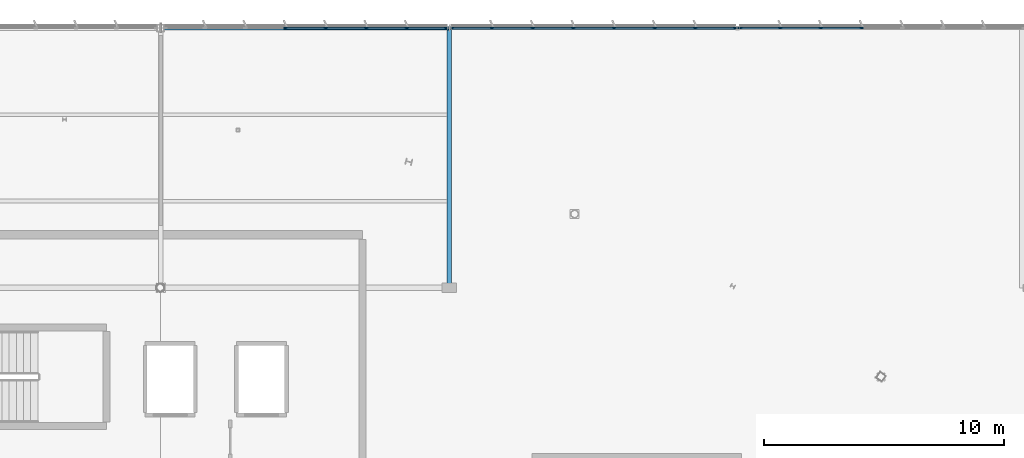
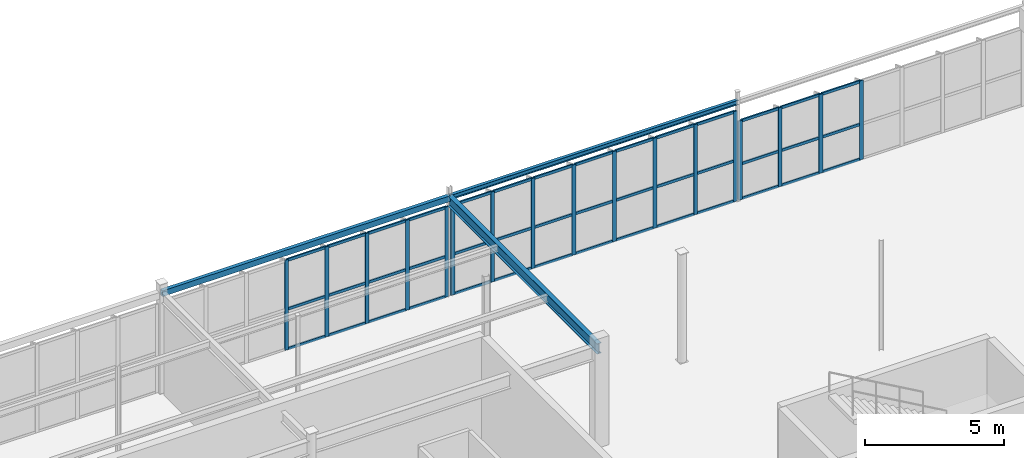
# One storey, part 103 of 226: 59 members, 3 beams, 3 elements without a shape of their own.
"""IFC4 building model written with IfcOpenShell, lengths in metres."""

from ifc_helpers import new_model, si_unit, direction, frame, origin, origin_2d, place, context, subcontext, project, spatial, rectangle, hollow_rectangle, i_section, extrude, material, layer, layer_set, material_profile, profile_set, type_object, element, aggregate, save


model = new_model("IFC4")

# Units and contexts
model_context = context("Model", 3, precision=1e-05, world=origin(), true_north=direction((0.0, 1.0)))
body_context = subcontext(model_context, "Body", "Model", "MODEL_VIEW")
ifc_project = project(units=[si_unit("LENGTHUNIT", "METRE"), si_unit("AREAUNIT", "SQUARE_METRE"), si_unit("VOLUMEUNIT", "CUBIC_METRE"), si_unit("PLANEANGLEUNIT", "RADIAN"), si_unit("MASSUNIT", "GRAM", prefix="KILO")], contexts=[model_context])

# Site, building, storey
site_placement = place(None, origin())
site = spatial("IfcSite", under=ifc_project, at=site_placement, CompositionType="ELEMENT")
building_placement = place(site_placement, origin())
building = spatial("IfcBuilding", under=site, at=building_placement, Name="Tarnwether General Hospital", CompositionType="ELEMENT")
storey_placement = place(building_placement, frame((0.0, 0.0, 4.800048828125)))
storey = spatial("IfcBuildingStorey", under=building, at=storey_placement, Name="L01", CompositionType="ELEMENT", Elevation=4.800048828125)

# Beams
ifc_material_1 = material(Name="Steel Grade 350 (350 MPa)", Category="steel")
ifc_material_profile_1 = material_profile(ifc_material_1, i_section(OverallWidth=0.18994140625, OverallDepth=0.45703125, WebThickness=0.009033203125, FlangeThickness=0.014404296875, at=origin_2d()), Name="460UB74.6")
ifc_profile_set_1 = profile_set([ifc_material_profile_1], Name="Steel Grade 350 (350 MPa)")
beam_type_1 = type_object("IfcBeamType", Name="BM-G09", PredefinedType="BEAM", material=ifc_profile_set_1)
beam_1_placement = place(storey_placement, frame((108.0, 115.199951171875, 4.216552734375), z_axis=(0.0, 1.0, 0.0), x_axis=(-1.0, 0.0, 0.0)))
element("IfcBeam", 1, at=beam_1_placement, inside=storey, type_object=beam_type_1, Name="Primary Girder BMG-L01-10800_11520-10800_12600-1182", PredefinedType="BEAM", context=body_context, shape_type="SweptSolid", body=[
    extrude(i_section(OverallWidth=0.18994140625, OverallDepth=0.45703125, WebThickness=0.009033203125, FlangeThickness=0.014404296875, at=origin_2d()), origin(), (0.0, 0.0, 1.0), 10.800048828125),
])
ifc_material_2 = material(Name="Steel Grade C350L0 (350 MPa)", Category="steel")
ifc_material_profile_2 = material_profile(ifc_material_2, hollow_rectangle(XDim=0.14990234375, YDim=0.25, WallThickness=0.010009765625, at=origin_2d()), Name="RHS250x150x10")
ifc_profile_set_2 = profile_set([ifc_material_profile_2], Name="Steel Grade C350L0 (350 MPa)")
beam_type_2 = type_object("IfcBeamType", Name="BM-SP4", PredefinedType="SPANDREL", material=ifc_profile_set_2)
beam_2_placement = place(storey_placement, frame((96.0, 126.0, 4.320068359375), z_axis=(1.0, 0.0, 0.0), x_axis=(0.0, 1.0, 0.0)))
element("IfcBeam", 2, at=beam_2_placement, inside=storey, type_object=beam_type_2, Name="Primary Girder BMG-L01-9600_12600-10800_12600-1170", PredefinedType="SPANDREL", context=body_context, shape_type="SweptSolid", body=[
    extrude(hollow_rectangle(XDim=0.14990234375, YDim=0.25, WallThickness=0.010009765625, at=origin_2d()), origin(), (0.0, 0.0, 1.0), 12.0),
])
ifc_material_3 = material(Name="Steel Grade 350 (350 MPa)", Category="steel")
ifc_material_profile_3 = material_profile(ifc_material_3, i_section(OverallWidth=0.133056640625, OverallDepth=0.202880859375, WebThickness=0.005859375, FlangeThickness=0.0078125, at=origin_2d()), Name="200UB25.4")
ifc_profile_set_3 = profile_set([ifc_material_profile_3], Name="Steel Grade 350 (350 MPa)")
beam_type_3 = type_object("IfcBeamType", Name="BM-SP5", PredefinedType="SPANDREL", material=ifc_profile_set_3)
beam_3_placement = place(storey_placement, frame((108.0, 126.0, 4.343505859375), z_axis=(1.0, 0.0, 0.0), x_axis=(0.0, 1.0, 0.0)))
element("IfcBeam", 3, at=beam_3_placement, inside=storey, type_object=beam_type_3, Name="Primary Girder BMG-L01-10800_12600-12000_12600-1183", PredefinedType="SPANDREL", context=body_context, shape_type="SweptSolid", body=[
    extrude(i_section(OverallWidth=0.133056640625, OverallDepth=0.202880859375, WebThickness=0.005859375, FlangeThickness=0.0078125, at=origin_2d()), origin(), (0.0, 0.0, 1.0), 12.0),
])

# Curtain wall, members
ifc_material_4 = material(Name="Anodised aluminium", Category="aluminium")
ifc_layer = layer(ifc_material_4, 0.159912109375)
ifc_layer_set = layer_set([ifc_layer], Name="Anodised aluminium")
curtain_wall_type = type_object("IfcCurtainWallType", Name="CW-14", PredefinedType="NOTDEFINED", material=ifc_layer_set)
curtain_wall_1_placement = place(storey_placement, origin())
curtain_wall_1 = element("IfcCurtainWall", 4, at=curtain_wall_1_placement, inside=storey, type_object=curtain_wall_type, Name="Curtain Wall CWG-L01-962_1260-0326", PredefinedType="NOTDEFINED")
ifc_material_5 = material(Name="Anodised aluminium", Category="aluminium")
ifc_material_profile_4 = material_profile(ifc_material_5, rectangle(XDim=0.06005859375, YDim=0.159912109375, at=origin_2d()), Name="ALU-MUL-60x160")
ifc_profile_set_4 = profile_set([ifc_material_profile_4], Name="Anodised aluminium")
member_type_1 = type_object("IfcMemberType", Name="CW-ML1", PredefinedType="MULLION", material=ifc_profile_set_4)
member_1_placement = place(storey_placement, frame((101.195068359375, 126.0, 0.0), z_axis=(0.0, 0.0, 1.0), x_axis=(0.0, 1.0, 0.0)))
member_1 = element("IfcMember", 5, at=member_1_placement, type_object=member_type_1, Name="CW-14 mullion 4", PredefinedType="MULLION", context=body_context, shape_type="SweptSolid", body=[
    extrude(rectangle(XDim=0.06005859375, YDim=0.159912109375, at=origin_2d()), origin(), (0.0, 0.0, 1.0), 3.969970703125),
])
member_2_placement = place(storey_placement, frame((102.8740234375, 126.0, 0.0), z_axis=(0.0, 0.0, 1.0), x_axis=(0.0, 1.0, 0.0)))
member_2 = element("IfcMember", 6, at=member_2_placement, type_object=member_type_1, Name="CW-14 mullion 5", PredefinedType="MULLION", context=body_context, shape_type="SweptSolid", body=[
    extrude(rectangle(XDim=0.06005859375, YDim=0.159912109375, at=origin_2d()), origin(), (0.0, 0.0, 1.0), 3.969970703125),
])
member_3_placement = place(storey_placement, frame((104.552978515625, 126.0, 0.0), z_axis=(0.0, 0.0, 1.0), x_axis=(0.0, 1.0, 0.0)))
member_3 = element("IfcMember", 7, at=member_3_placement, type_object=member_type_1, Name="CW-14 mullion 6", PredefinedType="MULLION", context=body_context, shape_type="SweptSolid", body=[
    extrude(rectangle(XDim=0.06005859375, YDim=0.159912109375, at=origin_2d()), origin(), (0.0, 0.0, 1.0), 3.969970703125),
])
member_4_placement = place(storey_placement, frame((106.23193359375, 126.0, 0.0), z_axis=(0.0, 0.0, 1.0), x_axis=(0.0, 1.0, 0.0)))
member_4 = element("IfcMember", 8, at=member_4_placement, type_object=member_type_1, Name="CW-14 mullion 7", PredefinedType="MULLION", context=body_context, shape_type="SweptSolid", body=[
    extrude(rectangle(XDim=0.06005859375, YDim=0.159912109375, at=origin_2d()), origin(), (0.0, 0.0, 1.0), 3.969970703125),
])
member_5_placement = place(storey_placement, frame((107.881103515625, 126.0, 0.0), z_axis=(0.0, 0.0, 1.0), x_axis=(0.0, 1.0, 0.0)))
member_5 = element("IfcMember", 9, at=member_5_placement, type_object=member_type_1, Name="CW-14 mullion 8", PredefinedType="MULLION", context=body_context, shape_type="SweptSolid", body=[
    extrude(rectangle(XDim=0.06005859375, YDim=0.159912109375, at=origin_2d()), origin(), (0.0, 0.0, 1.0), 3.969970703125),
])

curtain_wall_2_placement = place(storey_placement, origin())
curtain_wall_2 = element("IfcCurtainWall", 10, at=curtain_wall_2_placement, inside=storey, type_object=curtain_wall_type, Name="Curtain Wall CWG-L01-1081_1260-0327", PredefinedType="NOTDEFINED")
member_6_placement = place(storey_placement, frame((108.118896484375, 126.0, 0.0), z_axis=(0.0, 0.0, 1.0), x_axis=(0.0, 1.0, 0.0)))
member_6 = element("IfcMember", 11, at=member_6_placement, type_object=member_type_1, Name="CW-14 mullion 1", PredefinedType="MULLION", context=body_context, shape_type="SweptSolid", body=[
    extrude(rectangle(XDim=0.06005859375, YDim=0.159912109375, at=origin_2d()), origin(), (0.0, 0.0, 1.0), 3.972900390625),
])
member_7_placement = place(storey_placement, frame((109.780517578125, 126.0, 0.0), z_axis=(0.0, 0.0, 1.0), x_axis=(0.0, 1.0, 0.0)))
member_7 = element("IfcMember", 12, at=member_7_placement, type_object=member_type_1, Name="CW-14 mullion 2", PredefinedType="MULLION", context=body_context, shape_type="SweptSolid", body=[
    extrude(rectangle(XDim=0.06005859375, YDim=0.159912109375, at=origin_2d()), origin(), (0.0, 0.0, 1.0), 3.972900390625),
])
member_8_placement = place(storey_placement, frame((111.471923828125, 126.0, 0.0), z_axis=(0.0, 0.0, 1.0), x_axis=(0.0, 1.0, 0.0)))
member_8 = element("IfcMember", 13, at=member_8_placement, type_object=member_type_1, Name="CW-14 mullion 3", PredefinedType="MULLION", context=body_context, shape_type="SweptSolid", body=[
    extrude(rectangle(XDim=0.06005859375, YDim=0.159912109375, at=origin_2d()), origin(), (0.0, 0.0, 1.0), 3.972900390625),
])
member_9_placement = place(storey_placement, frame((113.163330078125, 126.0, 0.0), z_axis=(0.0, 0.0, 1.0), x_axis=(0.0, 1.0, 0.0)))
member_9 = element("IfcMember", 14, at=member_9_placement, type_object=member_type_1, Name="CW-14 mullion 4", PredefinedType="MULLION", context=body_context, shape_type="SweptSolid", body=[
    extrude(rectangle(XDim=0.06005859375, YDim=0.159912109375, at=origin_2d()), origin(), (0.0, 0.0, 1.0), 3.972900390625),
])
member_10_placement = place(storey_placement, frame((114.854736328125, 126.0, 0.0), z_axis=(0.0, 0.0, 1.0), x_axis=(0.0, 1.0, 0.0)))
member_10 = element("IfcMember", 15, at=member_10_placement, type_object=member_type_1, Name="CW-14 mullion 5", PredefinedType="MULLION", context=body_context, shape_type="SweptSolid", body=[
    extrude(rectangle(XDim=0.06005859375, YDim=0.159912109375, at=origin_2d()), origin(), (0.0, 0.0, 1.0), 3.972900390625),
])
member_11_placement = place(storey_placement, frame((116.546142578125, 126.0, 0.0), z_axis=(0.0, 0.0, 1.0), x_axis=(0.0, 1.0, 0.0)))
member_11 = element("IfcMember", 16, at=member_11_placement, type_object=member_type_1, Name="CW-14 mullion 6", PredefinedType="MULLION", context=body_context, shape_type="SweptSolid", body=[
    extrude(rectangle(XDim=0.06005859375, YDim=0.159912109375, at=origin_2d()), origin(), (0.0, 0.0, 1.0), 3.972900390625),
])
member_12_placement = place(storey_placement, frame((118.237548828125, 126.0, 0.0), z_axis=(0.0, 0.0, 1.0), x_axis=(0.0, 1.0, 0.0)))
member_12 = element("IfcMember", 17, at=member_12_placement, type_object=member_type_1, Name="CW-14 mullion 7", PredefinedType="MULLION", context=body_context, shape_type="SweptSolid", body=[
    extrude(rectangle(XDim=0.06005859375, YDim=0.159912109375, at=origin_2d()), origin(), (0.0, 0.0, 1.0), 3.972900390625),
])
member_13_placement = place(storey_placement, frame((119.89892578125, 126.0, 0.0), z_axis=(0.0, 0.0, 1.0), x_axis=(0.0, 1.0, 0.0)))
member_13 = element("IfcMember", 18, at=member_13_placement, type_object=member_type_1, Name="CW-14 mullion 8", PredefinedType="MULLION", context=body_context, shape_type="SweptSolid", body=[
    extrude(rectangle(XDim=0.06005859375, YDim=0.159912109375, at=origin_2d()), origin(), (0.0, 0.0, 1.0), 3.972900390625),
])

curtain_wall_3_placement = place(storey_placement, origin())
curtain_wall_3 = element("IfcCurtainWall", 19, at=curtain_wall_3_placement, inside=storey, type_object=curtain_wall_type, Name="Curtain Wall CWG-L01-1201_1260-0328", PredefinedType="NOTDEFINED")
member_14_placement = place(storey_placement, frame((120.10107421875, 126.0, 0.0), z_axis=(0.0, 0.0, 1.0), x_axis=(0.0, 1.0, 0.0)))
member_14 = element("IfcMember", 20, at=member_14_placement, type_object=member_type_1, Name="CW-14 mullion 1", PredefinedType="MULLION", context=body_context, shape_type="SweptSolid", body=[
    extrude(rectangle(XDim=0.06005859375, YDim=0.159912109375, at=origin_2d()), origin(), (0.0, 0.0, 1.0), 3.47998046875),
])
member_15_placement = place(storey_placement, frame((121.76318359375, 126.0, 0.0), z_axis=(0.0, 0.0, 1.0), x_axis=(0.0, 1.0, 0.0)))
member_15 = element("IfcMember", 21, at=member_15_placement, type_object=member_type_1, Name="CW-14 mullion 2", PredefinedType="MULLION", context=body_context, shape_type="SweptSolid", body=[
    extrude(rectangle(XDim=0.06005859375, YDim=0.159912109375, at=origin_2d()), origin(), (0.0, 0.0, 1.0), 3.47998046875),
])
member_16_placement = place(storey_placement, frame((123.455322265625, 126.0, 0.0), z_axis=(0.0, 0.0, 1.0), x_axis=(0.0, 1.0, 0.0)))
member_16 = element("IfcMember", 22, at=member_16_placement, type_object=member_type_1, Name="CW-14 mullion 3", PredefinedType="MULLION", context=body_context, shape_type="SweptSolid", body=[
    extrude(rectangle(XDim=0.06005859375, YDim=0.159912109375, at=origin_2d()), origin(), (0.0, 0.0, 1.0), 3.47998046875),
])
member_17_placement = place(storey_placement, frame((125.1474609375, 126.0, 0.0), z_axis=(0.0, 0.0, 1.0), x_axis=(0.0, 1.0, 0.0)))
member_17 = element("IfcMember", 23, at=member_17_placement, type_object=member_type_1, Name="CW-14 mullion 4", PredefinedType="MULLION", context=body_context, shape_type="SweptSolid", body=[
    extrude(rectangle(XDim=0.06005859375, YDim=0.159912109375, at=origin_2d()), origin(), (0.0, 0.0, 1.0), 3.47998046875),
])

# Member
ifc_material_6 = material(Name="Anodised aluminium", Category="aluminium")
ifc_material_profile_5 = material_profile(ifc_material_6, rectangle(XDim=0.06005859375, YDim=0.1201171875, at=origin_2d()), Name="ALU-TRN-60x120")
ifc_profile_set_5 = profile_set([ifc_material_profile_5], Name="Anodised aluminium")
member_type_2 = type_object("IfcMemberType", Name="CW-TR1", PredefinedType="USERDEFINED", material=ifc_profile_set_5)
member_18_placement = place(storey_placement, frame((101.22509765625, 126.0, 0.030029296875), z_axis=(1.0, 0.0, 0.0), x_axis=(0.0, 1.0, 0.0)))
member_18 = element("IfcMember", 24, at=member_18_placement, type_object=member_type_2, Name="CW-14 transom 4.1", ObjectType="TRANSOM", PredefinedType="USERDEFINED", context=body_context, shape_type="SweptSolid", body=[
    extrude(rectangle(XDim=0.06005859375, YDim=0.1201171875, at=origin_2d()), origin(), (0.0, 0.0, 1.0), 1.618896484375),
])

member_19_placement = place(storey_placement, frame((101.22509765625, 126.0, 1.786376953125), z_axis=(1.0, 0.0, 0.0), x_axis=(0.0, 1.0, 0.0)))
member_19 = element("IfcMember", 25, at=member_19_placement, type_object=member_type_2, Name="CW-14 transom 4.2", ObjectType="TRANSOM", PredefinedType="USERDEFINED", context=body_context, shape_type="SweptSolid", body=[
    extrude(rectangle(XDim=0.06005859375, YDim=0.1201171875, at=origin_2d()), origin(), (0.0, 0.0, 1.0), 1.618896484375),
])

member_20_placement = place(storey_placement, frame((101.22509765625, 126.0, 3.93994140625), z_axis=(1.0, 0.0, 0.0), x_axis=(0.0, 1.0, 0.0)))
member_20 = element("IfcMember", 26, at=member_20_placement, type_object=member_type_2, Name="CW-14 transom 4.3", ObjectType="TRANSOM", PredefinedType="USERDEFINED", context=body_context, shape_type="SweptSolid", body=[
    extrude(rectangle(XDim=0.06005859375, YDim=0.1201171875, at=origin_2d()), origin(), (0.0, 0.0, 1.0), 1.618896484375),
])

member_21_placement = place(storey_placement, frame((102.904052734375, 126.0, 0.030029296875), z_axis=(1.0, 0.0, 0.0), x_axis=(0.0, 1.0, 0.0)))
member_21 = element("IfcMember", 27, at=member_21_placement, type_object=member_type_2, Name="CW-14 transom 5.1", ObjectType="TRANSOM", PredefinedType="USERDEFINED", context=body_context, shape_type="SweptSolid", body=[
    extrude(rectangle(XDim=0.06005859375, YDim=0.1201171875, at=origin_2d()), origin(), (0.0, 0.0, 1.0), 1.618896484375),
])

member_22_placement = place(storey_placement, frame((102.904052734375, 126.0, 1.786376953125), z_axis=(1.0, 0.0, 0.0), x_axis=(0.0, 1.0, 0.0)))
member_22 = element("IfcMember", 28, at=member_22_placement, type_object=member_type_2, Name="CW-14 transom 5.2", ObjectType="TRANSOM", PredefinedType="USERDEFINED", context=body_context, shape_type="SweptSolid", body=[
    extrude(rectangle(XDim=0.06005859375, YDim=0.1201171875, at=origin_2d()), origin(), (0.0, 0.0, 1.0), 1.618896484375),
])

member_23_placement = place(storey_placement, frame((102.904052734375, 126.0, 3.93994140625), z_axis=(1.0, 0.0, 0.0), x_axis=(0.0, 1.0, 0.0)))
member_23 = element("IfcMember", 29, at=member_23_placement, type_object=member_type_2, Name="CW-14 transom 5.3", ObjectType="TRANSOM", PredefinedType="USERDEFINED", context=body_context, shape_type="SweptSolid", body=[
    extrude(rectangle(XDim=0.06005859375, YDim=0.1201171875, at=origin_2d()), origin(), (0.0, 0.0, 1.0), 1.618896484375),
])

member_24_placement = place(storey_placement, frame((104.5830078125, 126.0, 0.030029296875), z_axis=(1.0, 0.0, 0.0), x_axis=(0.0, 1.0, 0.0)))
member_24 = element("IfcMember", 30, at=member_24_placement, type_object=member_type_2, Name="CW-14 transom 6.1", ObjectType="TRANSOM", PredefinedType="USERDEFINED", context=body_context, shape_type="SweptSolid", body=[
    extrude(rectangle(XDim=0.06005859375, YDim=0.1201171875, at=origin_2d()), origin(), (0.0, 0.0, 1.0), 1.618896484375),
])

member_25_placement = place(storey_placement, frame((104.5830078125, 126.0, 1.786376953125), z_axis=(1.0, 0.0, 0.0), x_axis=(0.0, 1.0, 0.0)))
member_25 = element("IfcMember", 31, at=member_25_placement, type_object=member_type_2, Name="CW-14 transom 6.2", ObjectType="TRANSOM", PredefinedType="USERDEFINED", context=body_context, shape_type="SweptSolid", body=[
    extrude(rectangle(XDim=0.06005859375, YDim=0.1201171875, at=origin_2d()), origin(), (0.0, 0.0, 1.0), 1.618896484375),
])

member_26_placement = place(storey_placement, frame((104.5830078125, 126.0, 3.93994140625), z_axis=(1.0, 0.0, 0.0), x_axis=(0.0, 1.0, 0.0)))
member_26 = element("IfcMember", 32, at=member_26_placement, type_object=member_type_2, Name="CW-14 transom 6.3", ObjectType="TRANSOM", PredefinedType="USERDEFINED", context=body_context, shape_type="SweptSolid", body=[
    extrude(rectangle(XDim=0.06005859375, YDim=0.1201171875, at=origin_2d()), origin(), (0.0, 0.0, 1.0), 1.618896484375),
])

member_27_placement = place(storey_placement, frame((106.261962890625, 126.0, 0.030029296875), z_axis=(1.0, 0.0, 0.0), x_axis=(0.0, 1.0, 0.0)))
member_27 = element("IfcMember", 33, at=member_27_placement, type_object=member_type_2, Name="CW-14 transom 7.1", ObjectType="TRANSOM", PredefinedType="USERDEFINED", context=body_context, shape_type="SweptSolid", body=[
    extrude(rectangle(XDim=0.06005859375, YDim=0.1201171875, at=origin_2d()), origin(), (0.0, 0.0, 1.0), 1.589111328125),
])

member_28_placement = place(storey_placement, frame((106.261962890625, 126.0, 1.786376953125), z_axis=(1.0, 0.0, 0.0), x_axis=(0.0, 1.0, 0.0)))
member_28 = element("IfcMember", 34, at=member_28_placement, type_object=member_type_2, Name="CW-14 transom 7.2", ObjectType="TRANSOM", PredefinedType="USERDEFINED", context=body_context, shape_type="SweptSolid", body=[
    extrude(rectangle(XDim=0.06005859375, YDim=0.1201171875, at=origin_2d()), origin(), (0.0, 0.0, 1.0), 1.589111328125),
])

member_29_placement = place(storey_placement, frame((106.261962890625, 126.0, 3.93994140625), z_axis=(1.0, 0.0, 0.0), x_axis=(0.0, 1.0, 0.0)))
member_29 = element("IfcMember", 35, at=member_29_placement, type_object=member_type_2, Name="CW-14 transom 7.3", ObjectType="TRANSOM", PredefinedType="USERDEFINED", context=body_context, shape_type="SweptSolid", body=[
    extrude(rectangle(XDim=0.06005859375, YDim=0.1201171875, at=origin_2d()), origin(), (0.0, 0.0, 1.0), 1.589111328125),
])

aggregate(curtain_wall_1, [member_1, member_2, member_3, member_4, member_5, member_18, member_19, member_20, member_21, member_22, member_23, member_24, member_25, member_26, member_27, member_28, member_29])

member_30_placement = place(storey_placement, frame((108.14892578125, 126.0, 0.030029296875), z_axis=(1.0, 0.0, 0.0), x_axis=(0.0, 1.0, 0.0)))
member_30 = element("IfcMember", 36, at=member_30_placement, type_object=member_type_2, Name="CW-14 transom 1.1", ObjectType="TRANSOM", PredefinedType="USERDEFINED", context=body_context, shape_type="SweptSolid", body=[
    extrude(rectangle(XDim=0.06005859375, YDim=0.1201171875, at=origin_2d()), origin(), (0.0, 0.0, 1.0), 1.6015625),
])

member_31_placement = place(storey_placement, frame((108.14892578125, 126.0, 1.787841796875), z_axis=(1.0, 0.0, 0.0), x_axis=(0.0, 1.0, 0.0)))
member_31 = element("IfcMember", 37, at=member_31_placement, type_object=member_type_2, Name="CW-14 transom 1.2", ObjectType="TRANSOM", PredefinedType="USERDEFINED", context=body_context, shape_type="SweptSolid", body=[
    extrude(rectangle(XDim=0.06005859375, YDim=0.1201171875, at=origin_2d()), origin(), (0.0, 0.0, 1.0), 1.6015625),
])

member_32_placement = place(storey_placement, frame((108.14892578125, 126.0, 3.94287109375), z_axis=(1.0, 0.0, 0.0), x_axis=(0.0, 1.0, 0.0)))
member_32 = element("IfcMember", 38, at=member_32_placement, type_object=member_type_2, Name="CW-14 transom 1.3", ObjectType="TRANSOM", PredefinedType="USERDEFINED", context=body_context, shape_type="SweptSolid", body=[
    extrude(rectangle(XDim=0.06005859375, YDim=0.1201171875, at=origin_2d()), origin(), (0.0, 0.0, 1.0), 1.6015625),
])

member_33_placement = place(storey_placement, frame((109.810546875, 126.0, 0.030029296875), z_axis=(1.0, 0.0, 0.0), x_axis=(0.0, 1.0, 0.0)))
member_33 = element("IfcMember", 39, at=member_33_placement, type_object=member_type_2, Name="CW-14 transom 2.1", ObjectType="TRANSOM", PredefinedType="USERDEFINED", context=body_context, shape_type="SweptSolid", body=[
    extrude(rectangle(XDim=0.06005859375, YDim=0.1201171875, at=origin_2d()), origin(), (0.0, 0.0, 1.0), 1.63134765625),
])

member_34_placement = place(storey_placement, frame((109.810546875, 126.0, 1.787841796875), z_axis=(1.0, 0.0, 0.0), x_axis=(0.0, 1.0, 0.0)))
member_34 = element("IfcMember", 40, at=member_34_placement, type_object=member_type_2, Name="CW-14 transom 2.2", ObjectType="TRANSOM", PredefinedType="USERDEFINED", context=body_context, shape_type="SweptSolid", body=[
    extrude(rectangle(XDim=0.06005859375, YDim=0.1201171875, at=origin_2d()), origin(), (0.0, 0.0, 1.0), 1.63134765625),
])

member_35_placement = place(storey_placement, frame((109.810546875, 126.0, 3.94287109375), z_axis=(1.0, 0.0, 0.0), x_axis=(0.0, 1.0, 0.0)))
member_35 = element("IfcMember", 41, at=member_35_placement, type_object=member_type_2, Name="CW-14 transom 2.3", ObjectType="TRANSOM", PredefinedType="USERDEFINED", context=body_context, shape_type="SweptSolid", body=[
    extrude(rectangle(XDim=0.06005859375, YDim=0.1201171875, at=origin_2d()), origin(), (0.0, 0.0, 1.0), 1.63134765625),
])

member_36_placement = place(storey_placement, frame((111.501953125, 126.0, 0.030029296875), z_axis=(1.0, 0.0, 0.0), x_axis=(0.0, 1.0, 0.0)))
member_36 = element("IfcMember", 42, at=member_36_placement, type_object=member_type_2, Name="CW-14 transom 3.1", ObjectType="TRANSOM", PredefinedType="USERDEFINED", context=body_context, shape_type="SweptSolid", body=[
    extrude(rectangle(XDim=0.06005859375, YDim=0.1201171875, at=origin_2d()), origin(), (0.0, 0.0, 1.0), 1.63134765625),
])

member_37_placement = place(storey_placement, frame((111.501953125, 126.0, 1.787841796875), z_axis=(1.0, 0.0, 0.0), x_axis=(0.0, 1.0, 0.0)))
member_37 = element("IfcMember", 43, at=member_37_placement, type_object=member_type_2, Name="CW-14 transom 3.2", ObjectType="TRANSOM", PredefinedType="USERDEFINED", context=body_context, shape_type="SweptSolid", body=[
    extrude(rectangle(XDim=0.06005859375, YDim=0.1201171875, at=origin_2d()), origin(), (0.0, 0.0, 1.0), 1.63134765625),
])

member_38_placement = place(storey_placement, frame((111.501953125, 126.0, 3.94287109375), z_axis=(1.0, 0.0, 0.0), x_axis=(0.0, 1.0, 0.0)))
member_38 = element("IfcMember", 44, at=member_38_placement, type_object=member_type_2, Name="CW-14 transom 3.3", ObjectType="TRANSOM", PredefinedType="USERDEFINED", context=body_context, shape_type="SweptSolid", body=[
    extrude(rectangle(XDim=0.06005859375, YDim=0.1201171875, at=origin_2d()), origin(), (0.0, 0.0, 1.0), 1.63134765625),
])

member_39_placement = place(storey_placement, frame((113.193359375, 126.0, 0.030029296875), z_axis=(1.0, 0.0, 0.0), x_axis=(0.0, 1.0, 0.0)))
member_39 = element("IfcMember", 45, at=member_39_placement, type_object=member_type_2, Name="CW-14 transom 4.1", ObjectType="TRANSOM", PredefinedType="USERDEFINED", context=body_context, shape_type="SweptSolid", body=[
    extrude(rectangle(XDim=0.06005859375, YDim=0.1201171875, at=origin_2d()), origin(), (0.0, 0.0, 1.0), 1.63134765625),
])

member_40_placement = place(storey_placement, frame((113.193359375, 126.0, 1.787841796875), z_axis=(1.0, 0.0, 0.0), x_axis=(0.0, 1.0, 0.0)))
member_40 = element("IfcMember", 46, at=member_40_placement, type_object=member_type_2, Name="CW-14 transom 4.2", ObjectType="TRANSOM", PredefinedType="USERDEFINED", context=body_context, shape_type="SweptSolid", body=[
    extrude(rectangle(XDim=0.06005859375, YDim=0.1201171875, at=origin_2d()), origin(), (0.0, 0.0, 1.0), 1.63134765625),
])

member_41_placement = place(storey_placement, frame((113.193359375, 126.0, 3.94287109375), z_axis=(1.0, 0.0, 0.0), x_axis=(0.0, 1.0, 0.0)))
member_41 = element("IfcMember", 47, at=member_41_placement, type_object=member_type_2, Name="CW-14 transom 4.3", ObjectType="TRANSOM", PredefinedType="USERDEFINED", context=body_context, shape_type="SweptSolid", body=[
    extrude(rectangle(XDim=0.06005859375, YDim=0.1201171875, at=origin_2d()), origin(), (0.0, 0.0, 1.0), 1.63134765625),
])

member_42_placement = place(storey_placement, frame((114.884765625, 126.0, 0.030029296875), z_axis=(1.0, 0.0, 0.0), x_axis=(0.0, 1.0, 0.0)))
member_42 = element("IfcMember", 48, at=member_42_placement, type_object=member_type_2, Name="CW-14 transom 5.1", ObjectType="TRANSOM", PredefinedType="USERDEFINED", context=body_context, shape_type="SweptSolid", body=[
    extrude(rectangle(XDim=0.06005859375, YDim=0.1201171875, at=origin_2d()), origin(), (0.0, 0.0, 1.0), 1.63134765625),
])

member_43_placement = place(storey_placement, frame((114.884765625, 126.0, 1.787841796875), z_axis=(1.0, 0.0, 0.0), x_axis=(0.0, 1.0, 0.0)))
member_43 = element("IfcMember", 49, at=member_43_placement, type_object=member_type_2, Name="CW-14 transom 5.2", ObjectType="TRANSOM", PredefinedType="USERDEFINED", context=body_context, shape_type="SweptSolid", body=[
    extrude(rectangle(XDim=0.06005859375, YDim=0.1201171875, at=origin_2d()), origin(), (0.0, 0.0, 1.0), 1.63134765625),
])

member_44_placement = place(storey_placement, frame((114.884765625, 126.0, 3.94287109375), z_axis=(1.0, 0.0, 0.0), x_axis=(0.0, 1.0, 0.0)))
member_44 = element("IfcMember", 50, at=member_44_placement, type_object=member_type_2, Name="CW-14 transom 5.3", ObjectType="TRANSOM", PredefinedType="USERDEFINED", context=body_context, shape_type="SweptSolid", body=[
    extrude(rectangle(XDim=0.06005859375, YDim=0.1201171875, at=origin_2d()), origin(), (0.0, 0.0, 1.0), 1.63134765625),
])

member_45_placement = place(storey_placement, frame((116.576171875, 126.0, 0.030029296875), z_axis=(1.0, 0.0, 0.0), x_axis=(0.0, 1.0, 0.0)))
member_45 = element("IfcMember", 51, at=member_45_placement, type_object=member_type_2, Name="CW-14 transom 6.1", ObjectType="TRANSOM", PredefinedType="USERDEFINED", context=body_context, shape_type="SweptSolid", body=[
    extrude(rectangle(XDim=0.06005859375, YDim=0.1201171875, at=origin_2d()), origin(), (0.0, 0.0, 1.0), 1.63134765625),
])

member_46_placement = place(storey_placement, frame((116.576171875, 126.0, 1.787841796875), z_axis=(1.0, 0.0, 0.0), x_axis=(0.0, 1.0, 0.0)))
member_46 = element("IfcMember", 52, at=member_46_placement, type_object=member_type_2, Name="CW-14 transom 6.2", ObjectType="TRANSOM", PredefinedType="USERDEFINED", context=body_context, shape_type="SweptSolid", body=[
    extrude(rectangle(XDim=0.06005859375, YDim=0.1201171875, at=origin_2d()), origin(), (0.0, 0.0, 1.0), 1.63134765625),
])

member_47_placement = place(storey_placement, frame((116.576171875, 126.0, 3.94287109375), z_axis=(1.0, 0.0, 0.0), x_axis=(0.0, 1.0, 0.0)))
member_47 = element("IfcMember", 53, at=member_47_placement, type_object=member_type_2, Name="CW-14 transom 6.3", ObjectType="TRANSOM", PredefinedType="USERDEFINED", context=body_context, shape_type="SweptSolid", body=[
    extrude(rectangle(XDim=0.06005859375, YDim=0.1201171875, at=origin_2d()), origin(), (0.0, 0.0, 1.0), 1.63134765625),
])

member_48_placement = place(storey_placement, frame((118.267578125, 126.0, 0.030029296875), z_axis=(1.0, 0.0, 0.0), x_axis=(0.0, 1.0, 0.0)))
member_48 = element("IfcMember", 54, at=member_48_placement, type_object=member_type_2, Name="CW-14 transom 7.1", ObjectType="TRANSOM", PredefinedType="USERDEFINED", context=body_context, shape_type="SweptSolid", body=[
    extrude(rectangle(XDim=0.06005859375, YDim=0.1201171875, at=origin_2d()), origin(), (0.0, 0.0, 1.0), 1.601318359375),
])

member_49_placement = place(storey_placement, frame((118.267578125, 126.0, 1.787841796875), z_axis=(1.0, 0.0, 0.0), x_axis=(0.0, 1.0, 0.0)))
member_49 = element("IfcMember", 55, at=member_49_placement, type_object=member_type_2, Name="CW-14 transom 7.2", ObjectType="TRANSOM", PredefinedType="USERDEFINED", context=body_context, shape_type="SweptSolid", body=[
    extrude(rectangle(XDim=0.06005859375, YDim=0.1201171875, at=origin_2d()), origin(), (0.0, 0.0, 1.0), 1.601318359375),
])

member_50_placement = place(storey_placement, frame((118.267578125, 126.0, 3.94287109375), z_axis=(1.0, 0.0, 0.0), x_axis=(0.0, 1.0, 0.0)))
member_50 = element("IfcMember", 56, at=member_50_placement, type_object=member_type_2, Name="CW-14 transom 7.3", ObjectType="TRANSOM", PredefinedType="USERDEFINED", context=body_context, shape_type="SweptSolid", body=[
    extrude(rectangle(XDim=0.06005859375, YDim=0.1201171875, at=origin_2d()), origin(), (0.0, 0.0, 1.0), 1.601318359375),
])

aggregate(curtain_wall_2, [member_6, member_7, member_8, member_9, member_10, member_11, member_12, member_13, member_30, member_31, member_32, member_33, member_34, member_35, member_36, member_37, member_38, member_39, member_40, member_41, member_42, member_43, member_44, member_45, member_46, member_47, member_48, member_49, member_50])

member_51_placement = place(storey_placement, frame((120.131103515625, 126.0, 0.030029296875), z_axis=(1.0, 0.0, 0.0), x_axis=(0.0, 1.0, 0.0)))
member_51 = element("IfcMember", 57, at=member_51_placement, type_object=member_type_2, Name="CW-14 transom 1.1", ObjectType="TRANSOM", PredefinedType="USERDEFINED", context=body_context, shape_type="SweptSolid", body=[
    extrude(rectangle(XDim=0.06005859375, YDim=0.1201171875, at=origin_2d()), origin(), (0.0, 0.0, 1.0), 1.60205078125),
])

member_52_placement = place(storey_placement, frame((120.131103515625, 126.0, 1.56591796875), z_axis=(1.0, 0.0, 0.0), x_axis=(0.0, 1.0, 0.0)))
member_52 = element("IfcMember", 58, at=member_52_placement, type_object=member_type_2, Name="CW-14 transom 1.2", ObjectType="TRANSOM", PredefinedType="USERDEFINED", context=body_context, shape_type="SweptSolid", body=[
    extrude(rectangle(XDim=0.06005859375, YDim=0.1201171875, at=origin_2d()), origin(), (0.0, 0.0, 1.0), 1.60205078125),
])

member_53_placement = place(storey_placement, frame((120.131103515625, 126.0, 3.449951171875), z_axis=(1.0, 0.0, 0.0), x_axis=(0.0, 1.0, 0.0)))
member_53 = element("IfcMember", 59, at=member_53_placement, type_object=member_type_2, Name="CW-14 transom 1.3", ObjectType="TRANSOM", PredefinedType="USERDEFINED", context=body_context, shape_type="SweptSolid", body=[
    extrude(rectangle(XDim=0.06005859375, YDim=0.1201171875, at=origin_2d()), origin(), (0.0, 0.0, 1.0), 1.60205078125),
])

member_54_placement = place(storey_placement, frame((121.793212890625, 126.0, 0.030029296875), z_axis=(1.0, 0.0, 0.0), x_axis=(0.0, 1.0, 0.0)))
member_54 = element("IfcMember", 60, at=member_54_placement, type_object=member_type_2, Name="CW-14 transom 2.1", ObjectType="TRANSOM", PredefinedType="USERDEFINED", context=body_context, shape_type="SweptSolid", body=[
    extrude(rectangle(XDim=0.06005859375, YDim=0.1201171875, at=origin_2d()), origin(), (0.0, 0.0, 1.0), 1.632080078125),
])

member_55_placement = place(storey_placement, frame((121.793212890625, 126.0, 1.56591796875), z_axis=(1.0, 0.0, 0.0), x_axis=(0.0, 1.0, 0.0)))
member_55 = element("IfcMember", 61, at=member_55_placement, type_object=member_type_2, Name="CW-14 transom 2.2", ObjectType="TRANSOM", PredefinedType="USERDEFINED", context=body_context, shape_type="SweptSolid", body=[
    extrude(rectangle(XDim=0.06005859375, YDim=0.1201171875, at=origin_2d()), origin(), (0.0, 0.0, 1.0), 1.632080078125),
])

member_56_placement = place(storey_placement, frame((121.793212890625, 126.0, 3.449951171875), z_axis=(1.0, 0.0, 0.0), x_axis=(0.0, 1.0, 0.0)))
member_56 = element("IfcMember", 62, at=member_56_placement, type_object=member_type_2, Name="CW-14 transom 2.3", ObjectType="TRANSOM", PredefinedType="USERDEFINED", context=body_context, shape_type="SweptSolid", body=[
    extrude(rectangle(XDim=0.06005859375, YDim=0.1201171875, at=origin_2d()), origin(), (0.0, 0.0, 1.0), 1.632080078125),
])

member_57_placement = place(storey_placement, frame((123.4853515625, 126.0, 0.030029296875), z_axis=(1.0, 0.0, 0.0), x_axis=(0.0, 1.0, 0.0)))
member_57 = element("IfcMember", 63, at=member_57_placement, type_object=member_type_2, Name="CW-14 transom 3.1", ObjectType="TRANSOM", PredefinedType="USERDEFINED", context=body_context, shape_type="SweptSolid", body=[
    extrude(rectangle(XDim=0.06005859375, YDim=0.1201171875, at=origin_2d()), origin(), (0.0, 0.0, 1.0), 1.632080078125),
])

member_58_placement = place(storey_placement, frame((123.4853515625, 126.0, 1.56591796875), z_axis=(1.0, 0.0, 0.0), x_axis=(0.0, 1.0, 0.0)))
member_58 = element("IfcMember", 64, at=member_58_placement, type_object=member_type_2, Name="CW-14 transom 3.2", ObjectType="TRANSOM", PredefinedType="USERDEFINED", context=body_context, shape_type="SweptSolid", body=[
    extrude(rectangle(XDim=0.06005859375, YDim=0.1201171875, at=origin_2d()), origin(), (0.0, 0.0, 1.0), 1.632080078125),
])

member_59_placement = place(storey_placement, frame((123.4853515625, 126.0, 3.449951171875), z_axis=(1.0, 0.0, 0.0), x_axis=(0.0, 1.0, 0.0)))
member_59 = element("IfcMember", 65, at=member_59_placement, type_object=member_type_2, Name="CW-14 transom 3.3", ObjectType="TRANSOM", PredefinedType="USERDEFINED", context=body_context, shape_type="SweptSolid", body=[
    extrude(rectangle(XDim=0.06005859375, YDim=0.1201171875, at=origin_2d()), origin(), (0.0, 0.0, 1.0), 1.632080078125),
])

aggregate(curtain_wall_3, [member_14, member_15, member_16, member_17, member_51, member_52, member_53, member_54, member_55, member_56, member_57, member_58, member_59])

save(model, "model.ifc")
